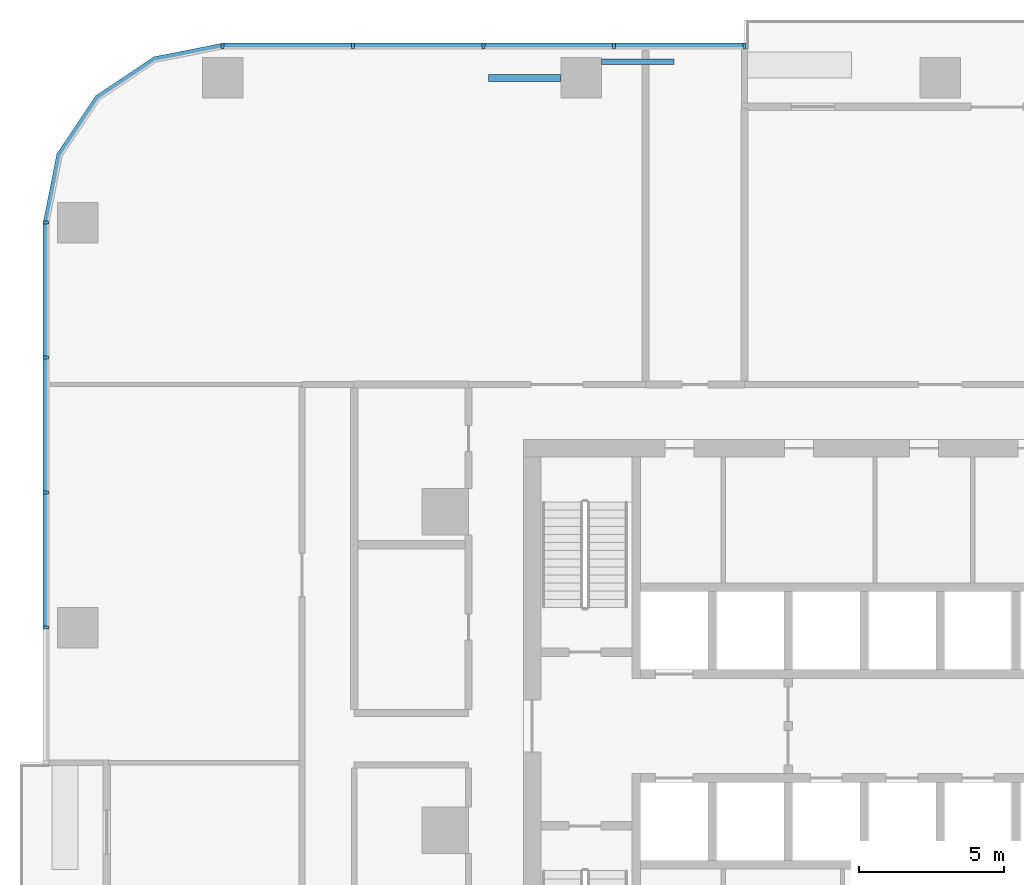
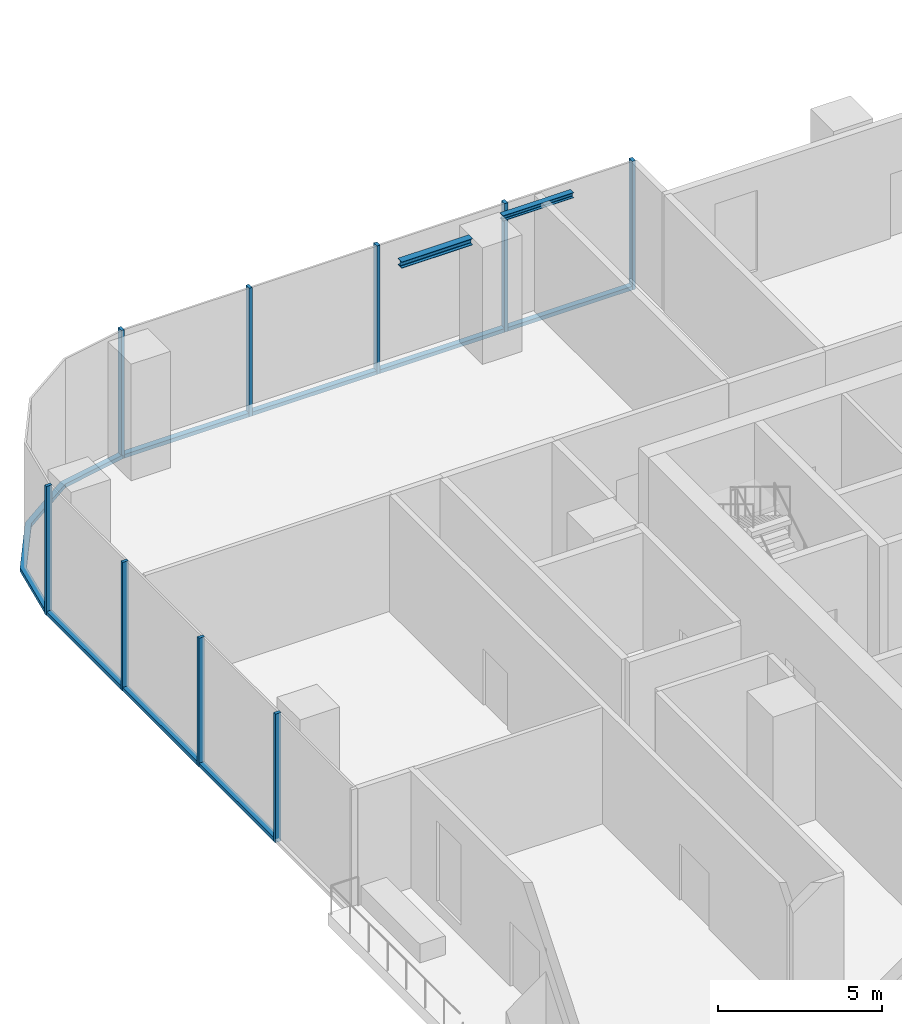
# One storey, part 4 of 14: 17 members, 2 beams, 3 elements without a shape of their own.
"""IFC4 building model written with IfcOpenShell, lengths in metres."""

import ifcopenshell
import ifcopenshell.guid

model = None  # the IFC model being written
_history = None  # IfcOwnerHistory: only IFC2X3 demands one
_inside = {}  # id of a spatial element -> (the spatial element, [elements in it])
_under = {}  # id of a project, library or spatial element -> (it, [spatial elements below it])
_declared = {}  # id of a project -> (the project, [libraries it declares])
_typed = {}  # id of a type object -> (the type object, [elements of that type])
_made_of = {}  # id of a material, layer set ... -> (it, [elements and type objects made of it])


def new_model(schema):
    """Start an empty IFC model of exactly this schema.

    Asked for "IFC4X3", IfcOpenShell would pick the latest addendum, in which some entities
    have other attributes; the version numbers below select the first issue.
    IFC2X3 requires an IfcOwnerHistory on every rooted entity: one is made here for all.
    """
    global model, _history
    if schema == "IFC4X3":
        model = ifcopenshell.file(schema_version=(4, 3, 0, 0))
    else:
        model = ifcopenshell.file(schema=schema)
    _inside.clear()
    _under.clear()
    _declared.clear()
    _typed.clear()
    _made_of.clear()
    _history = None
    if model.schema == "IFC2X3":
        org = make("IfcOrganization", Name="unknown")
        user = make(
            "IfcPersonAndOrganization",
            ThePerson=make("IfcPerson", FamilyName="unknown"),
            TheOrganization=org,
        )
        app = make(
            "IfcApplication",
            ApplicationDeveloper=org,
            Version="unknown",
            ApplicationFullName="unknown",
            ApplicationIdentifier="unknown",
        )
        _history = make(
            "IfcOwnerHistory",
            OwningUser=user,
            OwningApplication=app,
            ChangeAction="ADDED",
            CreationDate=0,
        )
    return model


def make(cls, **values):
    """One entity of the class cls with the attributes given. An attribute that is None is left unset."""
    return model.create_entity(
        cls, **{name: value for name, value in values.items() if value is not None}
    )


def rooted(cls, **values):
    """An entity with a GlobalId (a new one), such as an element, a storey or a relation."""
    return make(cls, GlobalId=ifcopenshell.guid.new(), OwnerHistory=_history, **values)


def si_unit(unit_type, name, prefix=None):
    """IfcSIUnit, for example si_unit("LENGTHUNIT", "METRE", prefix="MILLI")."""
    return make("IfcSIUnit", UnitType=unit_type, Prefix=prefix, Name=name)


def assignment(units):
    """IfcUnitAssignment: the units of a project."""
    return None if units is None else make("IfcUnitAssignment", Units=units)


def point(xyz):
    """IfcCartesianPoint."""
    return None if xyz is None else make("IfcCartesianPoint", Coordinates=xyz)


def direction(xyz):
    """IfcDirection."""
    return None if xyz is None else make("IfcDirection", DirectionRatios=xyz)


def frame(location, z_axis=None, x_axis=None):
    """IfcAxis2Placement3D, a coordinate frame: its origin and axes. An axis left out is left unset."""
    return make(
        "IfcAxis2Placement3D",
        Location=point(location),
        Axis=direction(z_axis),
        RefDirection=direction(x_axis),
    )


def frame_2d(location, x_axis=None):
    """IfcAxis2Placement2D, a coordinate frame in the plane: its origin and x axis."""
    return make(
        "IfcAxis2Placement2D", Location=point(location), RefDirection=direction(x_axis)
    )


def origin():
    """The frame at (0, 0, 0) with its axes left unset."""
    return frame((0.0, 0.0, 0.0))


def origin_2d():
    """The frame at (0, 0) in the plane with its x axis left unset."""
    return frame_2d((0.0, 0.0))


def place(relative_to, where):
    """IfcLocalPlacement: puts the frame where relative to a parent placement (None: the world)."""
    return make(
        "IfcLocalPlacement", PlacementRelTo=relative_to, RelativePlacement=where
    )


def context(
    kind, dimensions, precision=None, world=None, true_north=None, identifier=None
):
    """IfcGeometricRepresentationContext, for example the 3D "Model" context."""
    return make(
        "IfcGeometricRepresentationContext",
        ContextIdentifier=identifier,
        ContextType=kind,
        CoordinateSpaceDimension=dimensions,
        Precision=precision,
        WorldCoordinateSystem=world,
        TrueNorth=true_north,
    )


def subcontext(parent, identifier, kind, view, scale=None):
    """IfcGeometricRepresentationSubContext, for example "Body" below "Model"."""
    return make(
        "IfcGeometricRepresentationSubContext",
        ContextIdentifier=identifier,
        ContextType=kind,
        ParentContext=parent,
        TargetScale=scale,
        TargetView=view,
    )


def project(units=None, contexts=None):
    """IfcProject with its units and contexts."""
    return rooted(
        "IfcProject",
        Name="project",
        RepresentationContexts=contexts,
        UnitsInContext=assignment(units),
    )


def spatial(cls, under=None, at=None, **own):
    """A site, building, storey or space (cls), placed at a placement, below another one or the project."""
    s = rooted(cls, ObjectPlacement=at, **own)
    if under is not None:
        _under.setdefault(under.id(), (under, []))[1].append(s)
    return s


def polyline(points):
    """IfcPolyline through the points."""
    return make("IfcPolyline", Points=[point(p) for p in points])


def profile(cls, at=None, kind="AREA", **sizes):
    """A parametric profile (cls). Its sizes go by their IFC names, for example OverallWidth=200.0."""
    return make(cls, ProfileType=kind, Position=at, **sizes)


def rectangle(**sizes):
    """IfcRectangleProfileDef."""
    return profile("IfcRectangleProfileDef", **sizes)


def i_section(**sizes):
    """IfcIShapeProfileDef."""
    return profile("IfcIShapeProfileDef", **sizes)


def outline(outer, holes=None, kind="AREA"):
    """IfcArbitraryClosedProfileDef: a profile drawn as a closed curve; with holes, ...WithVoids."""
    if holes is None:
        return make("IfcArbitraryClosedProfileDef", ProfileType=kind, OuterCurve=outer)
    return make(
        "IfcArbitraryProfileDefWithVoids",
        ProfileType=kind,
        OuterCurve=outer,
        InnerCurves=holes,
    )


def extrude(swept, where, along, depth):
    """IfcExtrudedAreaSolid: the profile swept, set in the frame where, extruded along a direction by depth."""
    return make(
        "IfcExtrudedAreaSolid",
        SweptArea=swept,
        Position=where,
        ExtrudedDirection=direction(along),
        Depth=depth,
    )


def shape(context_of_items, identifier, shape_type, items):
    """IfcShapeRepresentation: the items that make up one representation, for example the "Body"."""
    return make(
        "IfcShapeRepresentation",
        ContextOfItems=context_of_items,
        RepresentationIdentifier=identifier,
        RepresentationType=shape_type,
        Items=items,
    )


def material(Name=None, Category=None):
    """IfcMaterial."""
    return make("IfcMaterial", Name=Name, Category=Category)


def material_profile(
    of_material, cross_section, Name=None, Category=None, Priority=None
):
    """IfcMaterialProfile: a cross section and its material."""
    return make(
        "IfcMaterialProfile",
        Name=Name,
        Material=of_material,
        Profile=cross_section,
        Priority=Priority,
        Category=Category,
    )


def profile_set(profiles, Name=None, composite=None):
    """IfcMaterialProfileSet."""
    return make(
        "IfcMaterialProfileSet",
        Name=Name,
        MaterialProfiles=profiles,
        CompositeProfile=composite,
    )


def made_of(thing, what):
    """Note that an element or type object is made of a material, layer set ...; save() writes the relation."""
    if what is not None:
        _made_of.setdefault(what.id(), (what, []))[1].append(thing)
    return thing


def type_object(cls, material=None, **own):
    """A type object (cls), such as IfcWallType, which elements share."""
    return made_of(rooted(cls, **own), material)


def element(
    cls,
    number,
    at=None,
    inside=None,
    cuts=None,
    type_object=None,
    material=None,
    context=None,
    identifier="Body",
    shape_type=None,
    held_by="IfcProductDefinitionShape",
    body=None,
    shapes=None,
    **own,
):
    """One element of the class cls, such as IfcWall. Its Tag is "e" and its number.

    at: its placement. inside: the storey or other place that contains it. cuts: it is an
    opening in that element (IfcRelVoidsElement). A single representation is given by context,
    identifier, shape_type and body (its items); several are given by shapes. held_by: the class
    of the entity that holds the representations. save() writes the other relations.
    """
    e = rooted(cls, Tag="e%d" % number, ObjectPlacement=at, **own)
    if body is not None:
        shapes = [shape(context, identifier, shape_type, body)]
    if shapes is not None:
        e.Representation = make(held_by, Representations=shapes)
    if inside is not None:
        _inside.setdefault(inside.id(), (inside, []))[1].append(e)
    if cuts is not None:
        rooted(
            "IfcRelVoidsElement", RelatingBuildingElement=cuts, RelatedOpeningElement=e
        )
    if type_object is not None:
        _typed.setdefault(type_object.id(), (type_object, []))[1].append(e)
    return made_of(e, material)


def aggregate(whole, parts):
    """IfcRelAggregates: a whole, such as a stair, and the parts it consists of."""
    return rooted("IfcRelAggregates", RelatingObject=whole, RelatedObjects=parts)


def save(model, path):
    """Write the relations noted so far, then the file.

    IfcRelAggregates (storeys below a building ...), IfcRelContainedInSpatialStructure (elements
    in a storey), IfcRelDefinesByType, IfcRelAssociatesMaterial and IfcRelDeclares: one each for
    every whole, place, type object, material and project.
    """
    for whole, parts in _under.values():
        aggregate(whole, parts)
    for where, things in _inside.values():
        rooted(
            "IfcRelContainedInSpatialStructure",
            RelatedElements=things,
            RelatingStructure=where,
        )
    for kind, things in _typed.values():
        rooted("IfcRelDefinesByType", RelatedObjects=things, RelatingType=kind)
    for what, things in _made_of.values():
        rooted("IfcRelAssociatesMaterial", RelatedObjects=things, RelatingMaterial=what)
    for by, libraries in _declared.values():
        rooted("IfcRelDeclares", RelatingContext=by, RelatedDefinitions=libraries)
    model.write(path)


model = new_model("IFC4")

# Units and contexts
model_context = context("Model", 3, precision=1e-05, world=origin(), true_north=direction((0.0, 1.0)))
body_context = subcontext(model_context, "Body", "Model", "MODEL_VIEW")
ifc_project = project(units=[si_unit("LENGTHUNIT", "METRE"), si_unit("AREAUNIT", "SQUARE_METRE"), si_unit("VOLUMEUNIT", "CUBIC_METRE"), si_unit("PLANEANGLEUNIT", "RADIAN"), si_unit("MASSUNIT", "GRAM", prefix="KILO")], contexts=[model_context])

# Site, building, storey
site_placement = place(None, origin())
site = spatial("IfcSite", under=ifc_project, at=site_placement, CompositionType="ELEMENT")
building_placement = place(site_placement, origin())
building = spatial("IfcBuilding", under=site, at=building_placement, Name="Mopane Tessera Tower", CompositionType="ELEMENT")
storey_placement = place(building_placement, frame((0.0, 0.0, 55.0)))
storey = spatial("IfcBuildingStorey", under=building, at=storey_placement, Name="L10", CompositionType="ELEMENT", Elevation=55.0)

# Curtain wall, members
ifc_material_1 = material(Name="Aluminium frame", Category="aluminium")
curtain_wall_type = type_object("IfcCurtainWallType", Name="Lower tower unitised wall", PredefinedType="NOTDEFINED", material=ifc_material_1)
curtain_wall_1_placement = place(storey_placement, origin())
curtain_wall_1 = element("IfcCurtainWall", 1, at=curtain_wall_1_placement, inside=storey, type_object=curtain_wall_type, Name="e:cw:L10:N:7", PredefinedType="NOTDEFINED")
ifc_material_2 = material(Name="Aluminium frame", Category="aluminium")
ifc_material_profile_1 = material_profile(ifc_material_2, rectangle(XDim=0.110107421875, YDim=0.199951171875, at=origin_2d()))
ifc_profile_set_1 = profile_set([ifc_material_profile_1], Name="Aluminium frame")
member_type_1 = type_object("IfcMemberType", Name="Aluminium mullion 110 x 200", PredefinedType="MULLION", material=ifc_profile_set_1)
member_1_placement = place(storey_placement, frame((-6.763671875, 27.10009765625, -0.449951171875), z_axis=(0.0, 0.0, 1.0), x_axis=(-1.0, 0.0, 0.0)))
member_1 = element("IfcMember", 2, at=member_1_placement, type_object=member_type_1, Name="e:cw:L10:N:7:mu7", PredefinedType="MULLION", context=body_context, shape_type="SweptSolid", body=[
    extrude(rectangle(XDim=0.110107421875, YDim=0.199951171875, at=origin_2d()), origin(), (0.0, 0.0, 1.0), 4.800048828125),
])
member_2_placement = place(storey_placement, frame((-11.272705078125, 27.10009765625, -0.449951171875), z_axis=(0.0, 0.0, 1.0), x_axis=(-1.0, 0.0, 0.0)))
member_2 = element("IfcMember", 3, at=member_2_placement, type_object=member_type_1, Name="e:cw:L10:N:7:mu8", PredefinedType="MULLION", context=body_context, shape_type="SweptSolid", body=[
    extrude(rectangle(XDim=0.110107421875, YDim=0.199951171875, at=origin_2d()), origin(), (0.0, 0.0, 1.0), 4.800048828125),
])
member_3_placement = place(storey_placement, frame((-15.78173828125, 27.10009765625, -0.449951171875), z_axis=(0.0, 0.0, 1.0), x_axis=(-1.0, 0.0, 0.0)))
member_3 = element("IfcMember", 4, at=member_3_placement, type_object=member_type_1, Name="e:cw:L10:N:7:mu9", PredefinedType="MULLION", context=body_context, shape_type="SweptSolid", body=[
    extrude(rectangle(XDim=0.110107421875, YDim=0.199951171875, at=origin_2d()), origin(), (0.0, 0.0, 1.0), 4.800048828125),
])
member_4_placement = place(storey_placement, frame((-20.291015625, 27.10009765625, -0.449951171875), z_axis=(0.0, 0.0, 1.0), x_axis=(-1.0, 0.0, 0.0)))
member_4 = element("IfcMember", 5, at=member_4_placement, type_object=member_type_1, Name="e:cw:L10:N:7:mu10", PredefinedType="MULLION", context=body_context, shape_type="SweptSolid", body=[
    extrude(rectangle(XDim=0.110107421875, YDim=0.199951171875, at=origin_2d()), origin(), (0.0, 0.0, 1.0), 4.800048828125),
])
member_5_placement = place(storey_placement, frame((-24.800048828125, 27.10009765625, -0.449951171875), z_axis=(0.0, 0.0, 1.0), x_axis=(-1.0, 0.0, 0.0)))
member_5 = element("IfcMember", 6, at=member_5_placement, type_object=member_type_1, Name="e:cw:L10:N:7:mu11", PredefinedType="MULLION", context=body_context, shape_type="SweptSolid", body=[
    extrude(rectangle(XDim=0.110107421875, YDim=0.199951171875, at=origin_2d()), origin(), (0.0, 0.0, 1.0), 4.800048828125),
])

curtain_wall_2_placement = place(storey_placement, origin())
curtain_wall_2 = element("IfcCurtainWall", 7, at=curtain_wall_2_placement, inside=storey, type_object=curtain_wall_type, Name="e:cw:L10:W:0", PredefinedType="NOTDEFINED")
member_6_placement = place(storey_placement, frame((-30.89990234375, 21.0, -0.449951171875), z_axis=(0.0, 0.0, 1.0), x_axis=(0.0, -1.0, 0.0)))
member_6 = element("IfcMember", 8, at=member_6_placement, type_object=member_type_1, Name="e:cw:L10:W:0:mu0", PredefinedType="MULLION", context=body_context, shape_type="SweptSolid", body=[
    extrude(rectangle(XDim=0.110107421875, YDim=0.199951171875, at=origin_2d()), origin(), (0.0, 0.0, 1.0), 4.800048828125),
])
member_7_placement = place(storey_placement, frame((-30.89990234375, 16.333251953125, -0.449951171875), z_axis=(0.0, 0.0, 1.0), x_axis=(0.0, -1.0, 0.0)))
member_7 = element("IfcMember", 9, at=member_7_placement, type_object=member_type_1, Name="e:cw:L10:W:0:mu1", PredefinedType="MULLION", context=body_context, shape_type="SweptSolid", body=[
    extrude(rectangle(XDim=0.110107421875, YDim=0.199951171875, at=origin_2d()), origin(), (0.0, 0.0, 1.0), 4.800048828125),
])
member_8_placement = place(storey_placement, frame((-30.89990234375, 11.666748046875, -0.449951171875), z_axis=(0.0, 0.0, 1.0), x_axis=(0.0, -1.0, 0.0)))
member_8 = element("IfcMember", 10, at=member_8_placement, type_object=member_type_1, Name="e:cw:L10:W:0:mu2", PredefinedType="MULLION", context=body_context, shape_type="SweptSolid", body=[
    extrude(rectangle(XDim=0.110107421875, YDim=0.199951171875, at=origin_2d()), origin(), (0.0, 0.0, 1.0), 4.800048828125),
])
member_9_placement = place(storey_placement, frame((-30.89990234375, 7.0, -0.449951171875), z_axis=(0.0, 0.0, 1.0), x_axis=(0.0, -1.0, 0.0)))
member_9 = element("IfcMember", 11, at=member_9_placement, type_object=member_type_1, Name="e:cw:L10:W:0:mu3", PredefinedType="MULLION", context=body_context, shape_type="SweptSolid", body=[
    extrude(rectangle(XDim=0.110107421875, YDim=0.199951171875, at=origin_2d()), origin(), (0.0, 0.0, 1.0), 4.800048828125),
])

# Member
ifc_material_3 = material(Name="Aluminium frame", Category="aluminium")
ifc_material_profile_2 = material_profile(ifc_material_3, rectangle(XDim=0.199951171875, YDim=0.139892578125, at=origin_2d()))
ifc_profile_set_2 = profile_set([ifc_material_profile_2], Name="Aluminium frame")
member_type_2 = type_object("IfcMemberType", Name="Aluminium transom 200 x 140", PredefinedType="USERDEFINED", material=ifc_profile_set_2)
member_10_placement = place(storey_placement, frame((-6.818603515625, 27.10009765625, -0.3798828125), z_axis=(-1.0, 0.0, 0.0), x_axis=(0.0, -1.0, 0.0)))
member_10 = element("IfcMember", 12, at=member_10_placement, type_object=member_type_2, Name="e:cw:L10:N:7:tr7", ObjectType="TRANSOM", PredefinedType="USERDEFINED", context=body_context, shape_type="SweptSolid", body=[
    extrude(rectangle(XDim=0.199951171875, YDim=0.139892578125, at=origin_2d()), origin(), (0.0, 0.0, 1.0), 4.399169921875),
])

member_11_placement = place(storey_placement, frame((-11.32763671875, 27.10009765625, -0.3798828125), z_axis=(-1.0, 0.0, 0.0), x_axis=(0.0, -1.0, 0.0)))
member_11 = element("IfcMember", 13, at=member_11_placement, type_object=member_type_2, Name="e:cw:L10:N:7:tr8", ObjectType="TRANSOM", PredefinedType="USERDEFINED", context=body_context, shape_type="SweptSolid", body=[
    extrude(rectangle(XDim=0.199951171875, YDim=0.139892578125, at=origin_2d()), origin(), (0.0, 0.0, 1.0), 4.399169921875),
])

member_12_placement = place(storey_placement, frame((-15.8369140625, 27.10009765625, -0.3798828125), z_axis=(-1.0, 0.0, 0.0), x_axis=(0.0, -1.0, 0.0)))
member_12 = element("IfcMember", 14, at=member_12_placement, type_object=member_type_2, Name="e:cw:L10:N:7:tr9", ObjectType="TRANSOM", PredefinedType="USERDEFINED", context=body_context, shape_type="SweptSolid", body=[
    extrude(rectangle(XDim=0.199951171875, YDim=0.139892578125, at=origin_2d()), origin(), (0.0, 0.0, 1.0), 4.39892578125),
])

member_13_placement = place(storey_placement, frame((-20.345947265625, 27.10009765625, -0.3798828125), z_axis=(-1.0, 0.0, 0.0), x_axis=(0.0, -1.0, 0.0)))
member_13 = element("IfcMember", 15, at=member_13_placement, type_object=member_type_2, Name="e:cw:L10:N:7:tr10", ObjectType="TRANSOM", PredefinedType="USERDEFINED", context=body_context, shape_type="SweptSolid", body=[
    extrude(rectangle(XDim=0.199951171875, YDim=0.139892578125, at=origin_2d()), origin(), (0.0, 0.0, 1.0), 4.399169921875),
])

aggregate(curtain_wall_1, [member_1, member_2, member_3, member_4, member_5, member_10, member_11, member_12, member_13])

# Curtain wall, member
curtain_wall_3_placement = place(storey_placement, origin())
curtain_wall_3 = element("IfcCurtainWall", 16, at=curtain_wall_3_placement, inside=storey, type_object=curtain_wall_type, Name="e:cw:L10:CN", PredefinedType="NOTDEFINED")
member_14_placement = place(storey_placement, frame((0.0, 0.0, -0.449951171875)))
member_14 = element("IfcMember", 17, at=member_14_placement, type_object=member_type_2, Name="e:cw:L10:CN:tr", ObjectType="TRANSOM", PredefinedType="USERDEFINED", context=body_context, shape_type="SweptSolid", body=[
    extrude(outline(polyline([(-24.800048828125, 27.0), (-27.09619140625, 26.543212890625), (-29.042724609375, 25.24267578125), (-30.34326171875, 23.296142578125), (-30.800048828125, 21.0), (-31.0, 21.0), (-30.528076171875, 23.37255859375), (-29.18408203125, 25.384033203125), (-27.172607421875, 26.72802734375), (-24.800048828125, 27.199951171875), (-24.800048828125, 27.0)])), origin(), (0.0, 0.0, 1.0), 0.139892578125),
])
aggregate(curtain_wall_3, [member_14])

# Member
member_15_placement = place(storey_placement, frame((-30.89990234375, 20.945068359375, -0.3798828125), z_axis=(0.0, -1.0, 0.0), x_axis=(1.0, 0.0, 0.0)))
member_15 = element("IfcMember", 18, at=member_15_placement, type_object=member_type_2, Name="e:cw:L10:W:0:tr0", ObjectType="TRANSOM", PredefinedType="USERDEFINED", context=body_context, shape_type="SweptSolid", body=[
    extrude(rectangle(XDim=0.199951171875, YDim=0.139892578125, at=origin_2d()), origin(), (0.0, 0.0, 1.0), 4.556640625),
])

member_16_placement = place(storey_placement, frame((-30.89990234375, 16.2783203125, -0.3798828125), z_axis=(0.0, -1.0, 0.0), x_axis=(1.0, 0.0, 0.0)))
member_16 = element("IfcMember", 19, at=member_16_placement, type_object=member_type_2, Name="e:cw:L10:W:0:tr1", ObjectType="TRANSOM", PredefinedType="USERDEFINED", context=body_context, shape_type="SweptSolid", body=[
    extrude(rectangle(XDim=0.199951171875, YDim=0.139892578125, at=origin_2d()), origin(), (0.0, 0.0, 1.0), 4.556640625),
])

member_17_placement = place(storey_placement, frame((-30.89990234375, 11.611572265625, -0.3798828125), z_axis=(0.0, -1.0, 0.0), x_axis=(1.0, 0.0, 0.0)))
member_17 = element("IfcMember", 20, at=member_17_placement, type_object=member_type_2, Name="e:cw:L10:W:0:tr2", ObjectType="TRANSOM", PredefinedType="USERDEFINED", context=body_context, shape_type="SweptSolid", body=[
    extrude(rectangle(XDim=0.199951171875, YDim=0.139892578125, at=origin_2d()), origin(), (0.0, 0.0, 1.0), 4.556640625),
])

aggregate(curtain_wall_2, [member_6, member_7, member_8, member_9, member_15, member_16, member_17])

# Beams
ifc_material_4 = material(Name="Structural steel S460", Category="steel")
ifc_material_profile_3 = material_profile(ifc_material_4, i_section(OverallWidth=0.239990234375, OverallDepth=0.239990234375, WebThickness=0.010009765625, FlangeThickness=0.01708984375, FilletRadius=0.02099609375, at=origin_2d()))
ifc_profile_set_3 = profile_set([ifc_material_profile_3], Name="Structural steel S460")
beam_type_1 = type_object("IfcBeamType", Name="Terrace spandrel beam HE 240 B", PredefinedType="SPANDREL", material=ifc_profile_set_3)
beam_1_placement = place(storey_placement, frame((-13.102783203125, 26.0, 4.22998046875), z_axis=(-1.0, 0.0, 0.0), x_axis=(0.0, -1.0, 0.0)))
element("IfcBeam", 21, at=beam_1_placement, inside=storey, type_object=beam_type_1, Name="Terrace spandrel beam N2 L11", PredefinedType="SPANDREL", context=body_context, shape_type="SweptSolid", body=[
    extrude(i_section(OverallWidth=0.239990234375, OverallDepth=0.239990234375, WebThickness=0.010009765625, FlangeThickness=0.01708984375, FilletRadius=0.02099609375, at=origin_2d()), origin(), (0.0, 0.0, 1.0), 2.5),
])
ifc_material_5 = material(Name="Structural steel S460", Category="steel")
ifc_material_profile_4 = material_profile(ifc_material_5, i_section(OverallWidth=0.199951171875, OverallDepth=0.199951171875, WebThickness=0.009033203125, FlangeThickness=0.014892578125, FilletRadius=0.01806640625, at=origin_2d()))
ifc_profile_set_4 = profile_set([ifc_material_profile_4], Name="Structural steel S460")
beam_type_2 = type_object("IfcBeamType", Name="Terrace trimmer beam HE 200 B", PredefinedType="BEAM", material=ifc_profile_set_4)
beam_2_placement = place(storey_placement, frame((-11.697021484375, 26.56005859375, 4.25), z_axis=(1.0, 0.0, 0.0), x_axis=(0.0, 1.0, 0.0)))
element("IfcBeam", 22, at=beam_2_placement, inside=storey, type_object=beam_type_2, Name="Terrace trimmer beam N2 L11", PredefinedType="BEAM", context=body_context, shape_type="SweptSolid", body=[
    extrude(i_section(OverallWidth=0.199951171875, OverallDepth=0.199951171875, WebThickness=0.009033203125, FlangeThickness=0.014892578125, FilletRadius=0.01806640625, at=origin_2d()), origin(), (0.0, 0.0, 1.0), 2.5),
])

save(model, "model.ifc")
